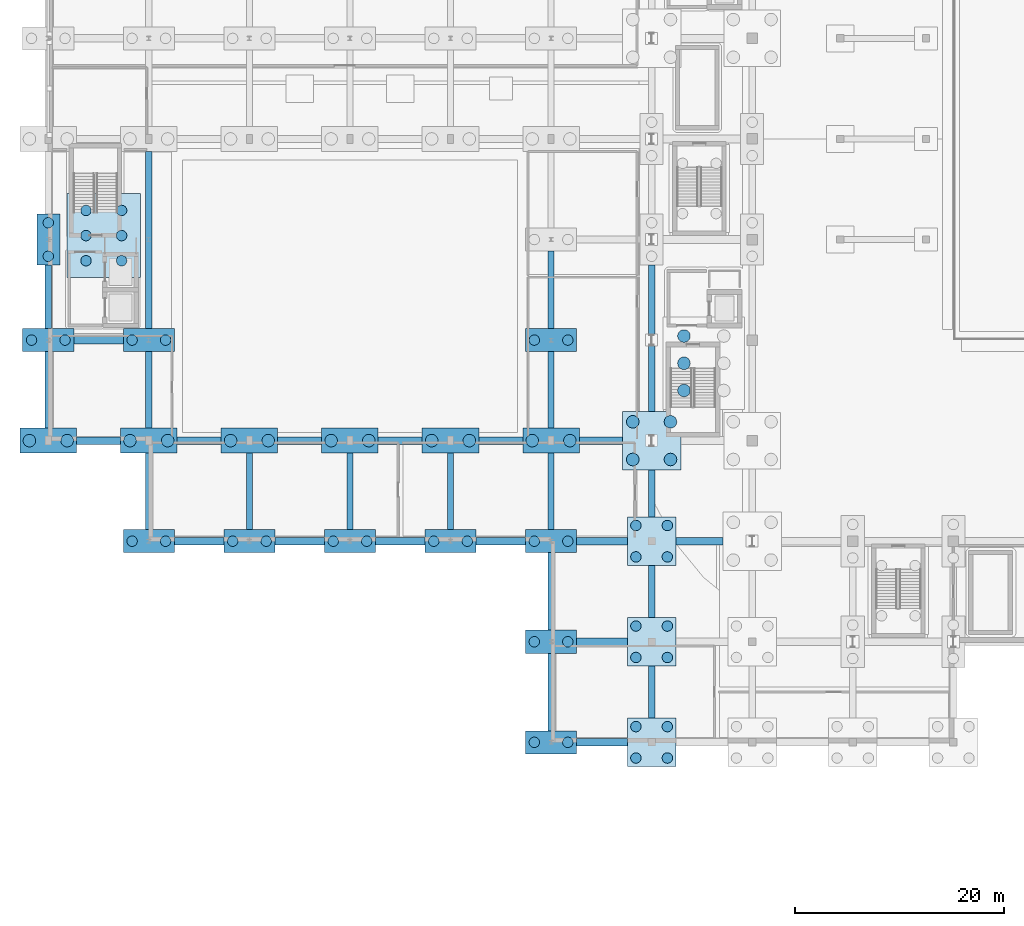
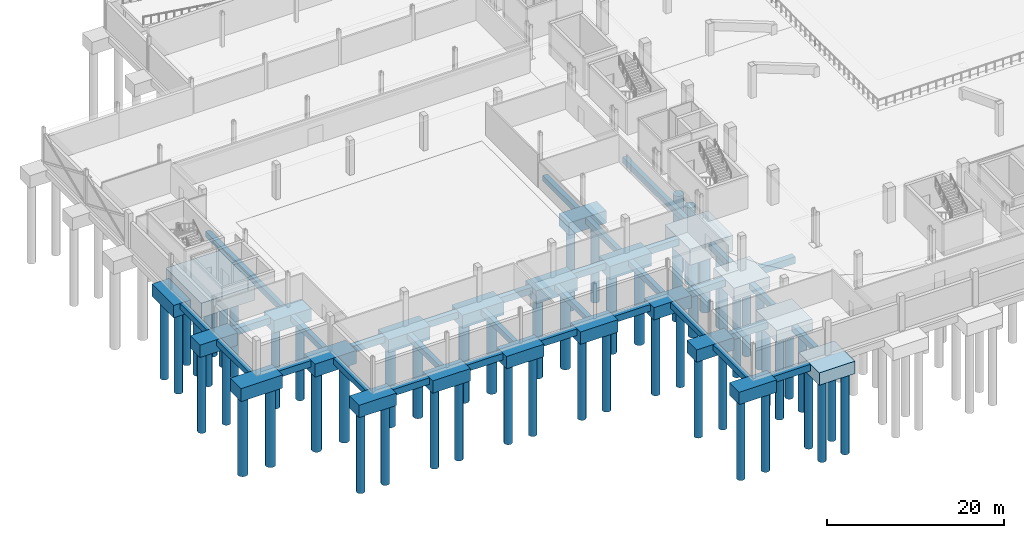
# One storey, part 1 of 67: 59 piles, 54 footings.
"""IFC4 building model written with IfcOpenShell, lengths in metres."""

from ifc_helpers import new_model, si_unit, direction, frame, origin, origin_2d, place, context, subcontext, project, spatial, polyline, rectangle, circle, outline, extrude, material, material_profile, profile_set, type_object, element, save


model = new_model("IFC4")

# Units and contexts
model_context = context("Model", 3, precision=1e-05, world=origin(), true_north=direction((0.0, 1.0)))
body_context = subcontext(model_context, "Body", "Model", "MODEL_VIEW")
ifc_project = project(units=[si_unit("LENGTHUNIT", "METRE"), si_unit("AREAUNIT", "SQUARE_METRE"), si_unit("VOLUMEUNIT", "CUBIC_METRE"), si_unit("PLANEANGLEUNIT", "RADIAN"), si_unit("MASSUNIT", "GRAM", prefix="KILO")], contexts=[model_context])

# Site, building, storey
site_placement = place(None, origin())
site = spatial("IfcSite", under=ifc_project, at=site_placement, CompositionType="ELEMENT")
building_placement = place(site_placement, origin())
building = spatial("IfcBuilding", under=site, at=building_placement, Name="Caelomonte Colonnade Arena", CompositionType="ELEMENT")
storey_placement = place(building_placement, frame((0.0, 0.0, -4.800048828125)))
storey = spatial("IfcBuildingStorey", under=building, at=storey_placement, Name="B1", CompositionType="ELEMENT", Elevation=-4.800048828125)

# Footings
ifc_material = material(Name="Concrete C40/50", Category="concrete")
footing_type_1 = type_object("IfcFootingType", Name="STR-FB-GB01", PredefinedType="FOOTING_BEAM", material=ifc_material)
footing_1_placement = place(storey_placement, frame((0.0, 0.0, -1.39990234375)))
element("IfcFooting", 1, at=footing_1_placement, inside=storey, type_object=footing_type_1, Name="Ground tie beam X (57.6..67.2, Y=28.8)", PredefinedType="FOOTING_BEAM", context=body_context, shape_type="SweptSolid", body=[
    extrude(outline(polyline([(59.919921875, 28.425048828125), (64.39990234375, 28.425048828125), (64.39990234375, 29.175048828125), (59.919921875, 29.175048828125), (59.919921875, 28.425048828125)])), origin(), (0.0, 0.0, 1.0), 0.949951171875),
])
footing_type_2 = type_object("IfcFootingType", Name="STR-FB-GB02", PredefinedType="FOOTING_BEAM", material=ifc_material)
footing_2_placement = place(storey_placement, frame((0.0, 0.0, -1.349853515625)))
element("IfcFooting", 2, at=footing_2_placement, inside=storey, type_object=footing_type_2, Name="Ground tie beam X (48.0..57.6, Y=9.6)", PredefinedType="FOOTING_BEAM", context=body_context, shape_type="SweptSolid", body=[
    extrude(outline(polyline([(50.43994140625, 9.25), (55.280029296875, 9.25), (55.280029296875, 9.949951171875), (50.43994140625, 9.949951171875), (50.43994140625, 9.25)])), origin(), (0.0, 0.0, 1.0), 0.89990234375),
])
footing_3_placement = place(storey_placement, frame((0.0, 0.0, -1.349853515625)))
element("IfcFooting", 3, at=footing_3_placement, inside=storey, type_object=footing_type_2, Name="Ground tie beam X (48.0..57.6, Y=19.2)", PredefinedType="FOOTING_BEAM", context=body_context, shape_type="SweptSolid", body=[
    extrude(outline(polyline([(50.43994140625, 18.85009765625), (55.280029296875, 18.85009765625), (55.280029296875, 19.550048828125), (50.43994140625, 19.550048828125), (50.43994140625, 18.85009765625)])), origin(), (0.0, 0.0, 1.0), 0.89990234375),
])
footing_4_placement = place(storey_placement, frame((0.0, 0.0, -1.349853515625)))
element("IfcFooting", 4, at=footing_4_placement, inside=storey, type_object=footing_type_2, Name="Ground tie beam X (9.6..19.2, Y=28.8)", PredefinedType="FOOTING_BEAM", context=body_context, shape_type="SweptSolid", body=[
    extrude(outline(polyline([(12.0400390625, 28.449951171875), (16.760009765625, 28.449951171875), (16.760009765625, 29.14990234375), (12.0400390625, 29.14990234375), (12.0400390625, 28.449951171875)])), origin(), (0.0, 0.0, 1.0), 0.89990234375),
])
footing_5_placement = place(storey_placement, frame((0.0, 0.0, -1.349853515625)))
element("IfcFooting", 5, at=footing_5_placement, inside=storey, type_object=footing_type_2, Name="Ground tie beam X (19.2..28.8, Y=28.8)", PredefinedType="FOOTING_BEAM", context=body_context, shape_type="SweptSolid", body=[
    extrude(outline(polyline([(21.639892578125, 28.449951171875), (26.360107421875, 28.449951171875), (26.360107421875, 29.14990234375), (21.639892578125, 29.14990234375), (21.639892578125, 28.449951171875)])), origin(), (0.0, 0.0, 1.0), 0.89990234375),
])
footing_6_placement = place(storey_placement, frame((0.0, 0.0, -1.349853515625)))
element("IfcFooting", 6, at=footing_6_placement, inside=storey, type_object=footing_type_2, Name="Ground tie beam X (28.8..38.4, Y=28.8)", PredefinedType="FOOTING_BEAM", context=body_context, shape_type="SweptSolid", body=[
    extrude(outline(polyline([(31.239990234375, 28.449951171875), (35.9599609375, 28.449951171875), (35.9599609375, 29.14990234375), (31.239990234375, 29.14990234375), (31.239990234375, 28.449951171875)])), origin(), (0.0, 0.0, 1.0), 0.89990234375),
])
footing_7_placement = place(storey_placement, frame((0.0, 0.0, -1.349853515625)))
element("IfcFooting", 7, at=footing_7_placement, inside=storey, type_object=footing_type_2, Name="Ground tie beam X (38.4..48.0, Y=28.8)", PredefinedType="FOOTING_BEAM", context=body_context, shape_type="SweptSolid", body=[
    extrude(outline(polyline([(40.840087890625, 28.449951171875), (45.56005859375, 28.449951171875), (45.56005859375, 29.14990234375), (40.840087890625, 29.14990234375), (40.840087890625, 28.449951171875)])), origin(), (0.0, 0.0, 1.0), 0.89990234375),
])
footing_8_placement = place(storey_placement, frame((0.0, 0.0, -1.349853515625)))
element("IfcFooting", 8, at=footing_8_placement, inside=storey, type_object=footing_type_2, Name="Ground tie beam X (48.0..57.6, Y=28.8)", PredefinedType="FOOTING_BEAM", context=body_context, shape_type="SweptSolid", body=[
    extrude(outline(polyline([(50.43994140625, 28.449951171875), (55.280029296875, 28.449951171875), (55.280029296875, 29.14990234375), (50.43994140625, 29.14990234375), (50.43994140625, 28.449951171875)])), origin(), (0.0, 0.0, 1.0), 0.89990234375),
])
footing_9_placement = place(storey_placement, frame((0.0, 0.0, -1.349853515625)))
element("IfcFooting", 9, at=footing_9_placement, inside=storey, type_object=footing_type_2, Name="Ground tie beam X (0.0..9.6, Y=38.4)", PredefinedType="FOOTING_BEAM", context=body_context, shape_type="SweptSolid", body=[
    extrude(outline(polyline([(2.699951171875, 38.050048828125), (6.89990234375, 38.050048828125), (6.89990234375, 38.75), (2.699951171875, 38.75), (2.699951171875, 38.050048828125)])), origin(), (0.0, 0.0, 1.0), 0.89990234375),
])
footing_10_placement = place(storey_placement, frame((0.0, 0.0, -1.349853515625)))
element("IfcFooting", 10, at=footing_10_placement, inside=storey, type_object=footing_type_2, Name="Ground tie beam X (9.6..19.2, Y=38.4)", PredefinedType="FOOTING_BEAM", context=body_context, shape_type="SweptSolid", body=[
    extrude(outline(polyline([(12.300048828125, 38.050048828125), (16.5, 38.050048828125), (16.5, 38.75), (12.300048828125, 38.75), (12.300048828125, 38.050048828125)])), origin(), (0.0, 0.0, 1.0), 0.89990234375),
])
footing_11_placement = place(storey_placement, frame((0.0, 0.0, -1.349853515625)))
element("IfcFooting", 11, at=footing_11_placement, inside=storey, type_object=footing_type_2, Name="Ground tie beam X (19.2..28.8, Y=38.4)", PredefinedType="FOOTING_BEAM", context=body_context, shape_type="SweptSolid", body=[
    extrude(outline(polyline([(21.89990234375, 38.050048828125), (26.10009765625, 38.050048828125), (26.10009765625, 38.75), (21.89990234375, 38.75), (21.89990234375, 38.050048828125)])), origin(), (0.0, 0.0, 1.0), 0.89990234375),
])
footing_12_placement = place(storey_placement, frame((0.0, 0.0, -1.349853515625)))
element("IfcFooting", 12, at=footing_12_placement, inside=storey, type_object=footing_type_2, Name="Ground tie beam X (28.8..38.4, Y=38.4)", PredefinedType="FOOTING_BEAM", context=body_context, shape_type="SweptSolid", body=[
    extrude(outline(polyline([(31.5, 38.050048828125), (35.699951171875, 38.050048828125), (35.699951171875, 38.75), (31.5, 38.75), (31.5, 38.050048828125)])), origin(), (0.0, 0.0, 1.0), 0.89990234375),
])
footing_13_placement = place(storey_placement, frame((0.0, 0.0, -1.349853515625)))
element("IfcFooting", 13, at=footing_13_placement, inside=storey, type_object=footing_type_2, Name="Ground tie beam X (38.4..48.0, Y=38.4)", PredefinedType="FOOTING_BEAM", context=body_context, shape_type="SweptSolid", body=[
    extrude(outline(polyline([(41.10009765625, 38.050048828125), (45.300048828125, 38.050048828125), (45.300048828125, 38.75), (41.10009765625, 38.75), (41.10009765625, 38.050048828125)])), origin(), (0.0, 0.0, 1.0), 0.89990234375),
])
footing_14_placement = place(storey_placement, frame((0.0, 0.0, -1.349853515625)))
element("IfcFooting", 14, at=footing_14_placement, inside=storey, type_object=footing_type_2, Name="Ground tie beam X (48.0..57.6, Y=38.4)", PredefinedType="FOOTING_BEAM", context=body_context, shape_type="SweptSolid", body=[
    extrude(outline(polyline([(50.699951171875, 38.050048828125), (54.800048828125, 38.050048828125), (54.800048828125, 38.75), (50.699951171875, 38.75), (50.699951171875, 38.050048828125)])), origin(), (0.0, 0.0, 1.0), 0.89990234375),
])
footing_15_placement = place(storey_placement, frame((0.0, 0.0, -1.349853515625)))
element("IfcFooting", 15, at=footing_15_placement, inside=storey, type_object=footing_type_2, Name="Ground tie beam X (0.0..9.6, Y=48.0)", PredefinedType="FOOTING_BEAM", context=body_context, shape_type="SweptSolid", body=[
    extrude(outline(polyline([(2.43994140625, 47.64990234375), (7.159912109375, 47.64990234375), (7.159912109375, 48.35009765625), (2.43994140625, 48.35009765625), (2.43994140625, 47.64990234375)])), origin(), (0.0, 0.0, 1.0), 0.89990234375),
])
footing_type_3 = type_object("IfcFootingType", Name="STR-FB-GB04", PredefinedType="FOOTING_BEAM", material=ifc_material)
footing_16_placement = place(storey_placement, frame((0.0, 0.0, -1.25)))
element("IfcFooting", 16, at=footing_16_placement, inside=storey, type_object=footing_type_3, Name="Ground tie beam Y (X=0.0, 38.4..48.0)", PredefinedType="FOOTING_BEAM", context=body_context, shape_type="SweptSolid", body=[
    extrude(outline(polyline([(-0.300048828125, 39.60009765625), (0.300048828125, 39.60009765625), (0.300048828125, 46.89990234375), (-0.300048828125, 46.89990234375), (-0.300048828125, 39.60009765625)])), origin(), (0.0, 0.0, 1.0), 0.800048828125),
])
footing_17_placement = place(storey_placement, frame((0.0, 0.0, -1.25)))
element("IfcFooting", 17, at=footing_17_placement, inside=storey, type_object=footing_type_3, Name="Ground tie beam Y (X=0.0, 48.0..57.6)", PredefinedType="FOOTING_BEAM", context=body_context, shape_type="SweptSolid", body=[
    extrude(outline(polyline([(-0.300048828125, 49.10009765625), (0.300048828125, 49.10009765625), (0.300048828125, 55.159912109375), (-0.300048828125, 55.159912109375), (-0.300048828125, 49.10009765625)])), origin(), (0.0, 0.0, 1.0), 0.800048828125),
])
footing_18_placement = place(storey_placement, frame((0.0, 0.0, -1.25)))
element("IfcFooting", 18, at=footing_18_placement, inside=storey, type_object=footing_type_3, Name="Ground tie beam Y (X=9.6, 28.8..38.4)", PredefinedType="FOOTING_BEAM", context=body_context, shape_type="SweptSolid", body=[
    extrude(outline(polyline([(9.300048828125, 29.89990234375), (9.89990234375, 29.89990234375), (9.89990234375, 37.199951171875), (9.300048828125, 37.199951171875), (9.300048828125, 29.89990234375)])), origin(), (0.0, 0.0, 1.0), 0.800048828125),
])
footing_19_placement = place(storey_placement, frame((0.0, 0.0, -1.25)))
element("IfcFooting", 19, at=footing_19_placement, inside=storey, type_object=footing_type_3, Name="Ground tie beam Y (X=9.6, 38.4..48.0)", PredefinedType="FOOTING_BEAM", context=body_context, shape_type="SweptSolid", body=[
    extrude(outline(polyline([(9.300048828125, 39.60009765625), (9.89990234375, 39.60009765625), (9.89990234375, 46.89990234375), (9.300048828125, 46.89990234375), (9.300048828125, 39.60009765625)])), origin(), (0.0, 0.0, 1.0), 0.800048828125),
])
footing_20_placement = place(storey_placement, frame((0.0, 0.0, -1.25)))
element("IfcFooting", 20, at=footing_20_placement, inside=storey, type_object=footing_type_3, Name="Ground tie beam Y (X=9.6, 48.0..67.2)", PredefinedType="FOOTING_BEAM", context=body_context, shape_type="SweptSolid", body=[
    extrude(outline(polyline([(9.300048828125, 49.10009765625), (9.89990234375, 49.10009765625), (9.89990234375, 66.0), (9.300048828125, 66.0), (9.300048828125, 49.10009765625)])), origin(), (0.0, 0.0, 1.0), 0.800048828125),
])
footing_21_placement = place(storey_placement, frame((0.0, 0.0, -1.25)))
element("IfcFooting", 21, at=footing_21_placement, inside=storey, type_object=footing_type_3, Name="Ground tie beam Y (X=19.2, 28.8..38.4)", PredefinedType="FOOTING_BEAM", context=body_context, shape_type="SweptSolid", body=[
    extrude(outline(polyline([(18.89990234375, 29.89990234375), (19.5, 29.89990234375), (19.5, 37.199951171875), (18.89990234375, 37.199951171875), (18.89990234375, 29.89990234375)])), origin(), (0.0, 0.0, 1.0), 0.800048828125),
])
footing_22_placement = place(storey_placement, frame((0.0, 0.0, -1.25)))
element("IfcFooting", 22, at=footing_22_placement, inside=storey, type_object=footing_type_3, Name="Ground tie beam Y (X=28.8, 28.8..38.4)", PredefinedType="FOOTING_BEAM", context=body_context, shape_type="SweptSolid", body=[
    extrude(outline(polyline([(28.5, 29.89990234375), (29.10009765625, 29.89990234375), (29.10009765625, 37.199951171875), (28.5, 37.199951171875), (28.5, 29.89990234375)])), origin(), (0.0, 0.0, 1.0), 0.800048828125),
])
footing_23_placement = place(storey_placement, frame((0.0, 0.0, -1.25)))
element("IfcFooting", 23, at=footing_23_placement, inside=storey, type_object=footing_type_3, Name="Ground tie beam Y (X=38.4, 28.8..38.4)", PredefinedType="FOOTING_BEAM", context=body_context, shape_type="SweptSolid", body=[
    extrude(outline(polyline([(38.10009765625, 29.89990234375), (38.699951171875, 29.89990234375), (38.699951171875, 37.199951171875), (38.10009765625, 37.199951171875), (38.10009765625, 29.89990234375)])), origin(), (0.0, 0.0, 1.0), 0.800048828125),
])
footing_24_placement = place(storey_placement, frame((0.0, 0.0, -1.25)))
element("IfcFooting", 24, at=footing_24_placement, inside=storey, type_object=footing_type_3, Name="Ground tie beam Y (X=48.0, 9.6..19.2)", PredefinedType="FOOTING_BEAM", context=body_context, shape_type="SweptSolid", body=[
    extrude(outline(polyline([(47.699951171875, 10.699951171875), (48.300048828125, 10.699951171875), (48.300048828125, 18.10009765625), (47.699951171875, 18.10009765625), (47.699951171875, 10.699951171875)])), origin(), (0.0, 0.0, 1.0), 0.800048828125),
])
footing_25_placement = place(storey_placement, frame((0.0, 0.0, -1.25)))
element("IfcFooting", 25, at=footing_25_placement, inside=storey, type_object=footing_type_3, Name="Ground tie beam Y (X=48.0, 19.2..28.8)", PredefinedType="FOOTING_BEAM", context=body_context, shape_type="SweptSolid", body=[
    extrude(outline(polyline([(47.699951171875, 20.300048828125), (48.300048828125, 20.300048828125), (48.300048828125, 27.699951171875), (47.699951171875, 27.699951171875), (47.699951171875, 20.300048828125)])), origin(), (0.0, 0.0, 1.0), 0.800048828125),
])
footing_26_placement = place(storey_placement, frame((0.0, 0.0, -1.25)))
element("IfcFooting", 26, at=footing_26_placement, inside=storey, type_object=footing_type_3, Name="Ground tie beam Y (X=48.0, 28.8..38.4)", PredefinedType="FOOTING_BEAM", context=body_context, shape_type="SweptSolid", body=[
    extrude(outline(polyline([(47.699951171875, 29.89990234375), (48.300048828125, 29.89990234375), (48.300048828125, 37.199951171875), (47.699951171875, 37.199951171875), (47.699951171875, 29.89990234375)])), origin(), (0.0, 0.0, 1.0), 0.800048828125),
])
footing_27_placement = place(storey_placement, frame((0.0, 0.0, -1.25)))
element("IfcFooting", 27, at=footing_27_placement, inside=storey, type_object=footing_type_3, Name="Ground tie beam Y (X=48.0, 38.4..48.0)", PredefinedType="FOOTING_BEAM", context=body_context, shape_type="SweptSolid", body=[
    extrude(outline(polyline([(47.699951171875, 39.60009765625), (48.300048828125, 39.60009765625), (48.300048828125, 46.89990234375), (47.699951171875, 46.89990234375), (47.699951171875, 39.60009765625)])), origin(), (0.0, 0.0, 1.0), 0.800048828125),
])
footing_28_placement = place(storey_placement, frame((0.0, 0.0, -1.25)))
element("IfcFooting", 28, at=footing_28_placement, inside=storey, type_object=footing_type_3, Name="Ground tie beam Y (X=48.0, 48.0..57.6)", PredefinedType="FOOTING_BEAM", context=body_context, shape_type="SweptSolid", body=[
    extrude(outline(polyline([(47.699951171875, 49.10009765625), (48.300048828125, 49.10009765625), (48.300048828125, 56.5), (47.699951171875, 56.5), (47.699951171875, 49.10009765625)])), origin(), (0.0, 0.0, 1.0), 0.800048828125),
])
footing_29_placement = place(storey_placement, frame((0.0, 0.0, -1.25)))
element("IfcFooting", 29, at=footing_29_placement, inside=storey, type_object=footing_type_3, Name="Ground tie beam Y (X=57.6, 9.6..19.2)", PredefinedType="FOOTING_BEAM", context=body_context, shape_type="SweptSolid", body=[
    extrude(outline(polyline([(57.300048828125, 11.919921875), (57.89990234375, 11.919921875), (57.89990234375, 16.8798828125), (57.300048828125, 16.8798828125), (57.300048828125, 11.919921875)])), origin(), (0.0, 0.0, 1.0), 0.800048828125),
])
footing_30_placement = place(storey_placement, frame((0.0, 0.0, -1.25)))
element("IfcFooting", 30, at=footing_30_placement, inside=storey, type_object=footing_type_3, Name="Ground tie beam Y (X=57.6, 19.2..28.8)", PredefinedType="FOOTING_BEAM", context=body_context, shape_type="SweptSolid", body=[
    extrude(outline(polyline([(57.300048828125, 21.52001953125), (57.89990234375, 21.52001953125), (57.89990234375, 26.47998046875), (57.300048828125, 26.47998046875), (57.300048828125, 21.52001953125)])), origin(), (0.0, 0.0, 1.0), 0.800048828125),
])
footing_31_placement = place(storey_placement, frame((0.0, 0.0, -1.25)))
element("IfcFooting", 31, at=footing_31_placement, inside=storey, type_object=footing_type_3, Name="Ground tie beam Y (X=57.6, 28.8..38.4)", PredefinedType="FOOTING_BEAM", context=body_context, shape_type="SweptSolid", body=[
    extrude(outline(polyline([(57.300048828125, 31.1201171875), (57.89990234375, 31.1201171875), (57.89990234375, 35.60009765625), (57.300048828125, 35.60009765625), (57.300048828125, 31.1201171875)])), origin(), (0.0, 0.0, 1.0), 0.800048828125),
])
footing_32_placement = place(storey_placement, frame((0.0, 0.0, -1.25)))
element("IfcFooting", 32, at=footing_32_placement, inside=storey, type_object=footing_type_3, Name="Ground tie beam Y (X=57.6, 38.4..57.6)", PredefinedType="FOOTING_BEAM", context=body_context, shape_type="SweptSolid", body=[
    extrude(outline(polyline([(57.300048828125, 41.199951171875), (57.89990234375, 41.199951171875), (57.89990234375, 55.159912109375), (57.300048828125, 55.159912109375), (57.300048828125, 41.199951171875)])), origin(), (0.0, 0.0, 1.0), 0.800048828125),
])
footing_type_4 = type_object("IfcFootingType", Name="STR-FC-PC01", PredefinedType="PILE_CAP", material=ifc_material)
footing_33_placement = place(storey_placement, frame((57.60009765625, 38.39990234375, -2.64990234375), z_axis=(0.0, 0.0, 1.0), x_axis=(1.0, 0.0, 0.0)))
element("IfcFooting", 33, at=footing_33_placement, inside=storey, type_object=footing_type_4, Name="Pile cap FC-0576-0384", PredefinedType="PILE_CAP", context=body_context, shape_type="SweptSolid", body=[
    extrude(rectangle(XDim=5.60009765625, YDim=5.60009765625, at=origin_2d()), origin(), (0.0, 0.0, 1.0), 2.199951171875),
])
footing_type_5 = type_object("IfcFootingType", Name="STR-FC-PC05", PredefinedType="PILE_CAP", material=ifc_material)
for number, where, z_axis, x_axis, name in (
    (34, (57.60009765625, 9.60009765625, -2.14990234375), (0.0, 0.0, 1.0), (1.0, 0.0, 0.0), "Pile cap FC-0576-0096"),
    (35, (57.60009765625, 19.199951171875, -2.14990234375), (0.0, 0.0, 1.0), (1.0, 0.0, 0.0), "Pile cap FC-0576-0192"),
    (36, (57.60009765625, 28.800048828125, -2.14990234375), (0.0, 0.0, 1.0), (1.0, 0.0, 0.0), "Pile cap FC-0576-0288"),
):
    element("IfcFooting", number, at=place(storey_placement, frame(where, z_axis=z_axis, x_axis=x_axis)), inside=storey, type_object=footing_type_5, Name=name, PredefinedType="PILE_CAP", context=body_context, shape_type="SweptSolid", body=[
        extrude(rectangle(XDim=4.639892578125, YDim=4.639892578125, at=origin_2d()), origin(), (0.0, 0.0, 1.0), 1.699951171875),
    ])
footing_type_6 = type_object("IfcFootingType", Name="STR-FC-PC06", PredefinedType="PILE_CAP", material=ifc_material)
for number, where, z_axis, x_axis, name in (
    (37, (0.0, 48.0, -2.14990234375), (0.0, 0.0, 1.0), (1.0, 0.0, 0.0), "Pile cap FC-0000-0480"),
    (38, (9.60009765625, 28.800048828125, -2.14990234375), (0.0, 0.0, 1.0), (1.0, 0.0, 0.0), "Pile cap FC-0096-0288"),
    (39, (9.60009765625, 48.0, -2.14990234375), (0.0, 0.0, 1.0), (1.0, 0.0, 0.0), "Pile cap FC-0096-0480"),
    (40, (19.199951171875, 28.800048828125, -2.14990234375), (0.0, 0.0, 1.0), (1.0, 0.0, 0.0), "Pile cap FC-0192-0288"),
    (41, (28.800048828125, 28.800048828125, -2.14990234375), (0.0, 0.0, 1.0), (1.0, 0.0, 0.0), "Pile cap FC-0288-0288"),
    (42, (38.39990234375, 28.800048828125, -2.14990234375), (0.0, 0.0, 1.0), (1.0, 0.0, 0.0), "Pile cap FC-0384-0288"),
    (43, (48.0, 9.60009765625, -2.14990234375), (0.0, 0.0, 1.0), (1.0, 0.0, 0.0), "Pile cap FC-0480-0096"),
    (44, (48.0, 19.199951171875, -2.14990234375), (0.0, 0.0, 1.0), (1.0, 0.0, 0.0), "Pile cap FC-0480-0192"),
    (45, (48.0, 28.800048828125, -2.14990234375), (0.0, 0.0, 1.0), (1.0, 0.0, 0.0), "Pile cap FC-0480-0288"),
    (46, (48.0, 48.0, -2.14990234375), (0.0, 0.0, 1.0), (1.0, 0.0, 0.0), "Pile cap FC-0480-0480"),
):
    element("IfcFooting", number, at=place(storey_placement, frame(where, z_axis=z_axis, x_axis=x_axis)), inside=storey, type_object=footing_type_6, Name=name, PredefinedType="PILE_CAP", context=body_context, shape_type="SweptSolid", body=[
        extrude(rectangle(XDim=4.8798828125, YDim=2.199951171875, at=origin_2d()), origin(), (0.0, 0.0, 1.0), 1.699951171875),
    ])
footing_type_7 = type_object("IfcFootingType", Name="STR-FC-PC07", PredefinedType="PILE_CAP", material=ifc_material)
footing_34_placement = place(storey_placement, frame((0.0, 57.60009765625, -2.14990234375), z_axis=(0.0, 0.0, 1.0), x_axis=(1.0, 0.0, 0.0)))
element("IfcFooting", 47, at=footing_34_placement, inside=storey, type_object=footing_type_7, Name="Pile cap FC-0000-0576", PredefinedType="PILE_CAP", context=body_context, shape_type="SweptSolid", body=[
    extrude(rectangle(XDim=2.199951171875, YDim=4.8798828125, at=origin_2d()), origin(), (0.0, 0.0, 1.0), 1.699951171875),
])
footing_type_8 = type_object("IfcFootingType", Name="STR-FC-PC08", PredefinedType="PILE_CAP", material=ifc_material)
for number, where, z_axis, x_axis, name in (
    (48, (0.0, 38.39990234375, -2.25), (0.0, 0.0, 1.0), (1.0, 0.0, 0.0), "Pile cap FC-0000-0384"),
    (49, (9.60009765625, 38.39990234375, -2.25), (0.0, 0.0, 1.0), (1.0, 0.0, 0.0), "Pile cap FC-0096-0384"),
    (50, (19.199951171875, 38.39990234375, -2.25), (0.0, 0.0, 1.0), (1.0, 0.0, 0.0), "Pile cap FC-0192-0384"),
    (51, (28.800048828125, 38.39990234375, -2.25), (0.0, 0.0, 1.0), (1.0, 0.0, 0.0), "Pile cap FC-0288-0384"),
    (52, (38.39990234375, 38.39990234375, -2.25), (0.0, 0.0, 1.0), (1.0, 0.0, 0.0), "Pile cap FC-0384-0384"),
    (53, (48.0, 38.39990234375, -2.25), (0.0, 0.0, 1.0), (1.0, 0.0, 0.0), "Pile cap FC-0480-0384"),
):
    element("IfcFooting", number, at=place(storey_placement, frame(where, z_axis=z_axis, x_axis=x_axis)), inside=storey, type_object=footing_type_8, Name=name, PredefinedType="PILE_CAP", context=body_context, shape_type="SweptSolid", body=[
        extrude(rectangle(XDim=5.39990234375, YDim=2.39990234375, at=origin_2d()), origin(), (0.0, 0.0, 1.0), 1.800048828125),
    ])
footing_type_9 = type_object("IfcFootingType", Name="STR-FC-PC11", PredefinedType="PILE_CAP", material=ifc_material)
footing_35_placement = place(storey_placement, frame((5.300048828125, 57.97509765625, -2.449951171875), z_axis=(0.0, 0.0, 1.0), x_axis=(1.0, 0.0, 0.0)))
element("IfcFooting", 54, at=footing_35_placement, inside=storey, type_object=footing_type_9, Name="Core C8 pile cap", PredefinedType="PILE_CAP", context=body_context, shape_type="SweptSolid", body=[
    extrude(rectangle(XDim=7.0, YDim=8.0, at=origin_2d()), origin(), (0.0, 0.0, 1.0), 2.0),
])

# Piles
ifc_material_profile_1 = material_profile(ifc_material, circle(Radius=0.5, at=origin_2d()), Name="PILE-D1000")
ifc_profile_set_1 = profile_set([ifc_material_profile_1], Name="Concrete C40/50")
pile_type_1 = type_object("IfcPileType", Name="STR-PL-D1000", PredefinedType="BORED", material=ifc_profile_set_1)
for number, where, z_axis, x_axis, name in (
    (55, (3.60009765625, 55.574951171875, -2.349853515625), (0.0, 0.0, -1.0), (1.0, 0.0, 0.0), "Core C8 rock-socketed pile 1"),
    (56, (3.60009765625, 57.97509765625, -2.349853515625), (0.0, 0.0, -1.0), (1.0, 0.0, 0.0), "Core C8 rock-socketed pile 2"),
    (57, (3.60009765625, 60.375, -2.349853515625), (0.0, 0.0, -1.0), (1.0, 0.0, 0.0), "Core C8 rock-socketed pile 3"),
    (58, (7.0, 55.574951171875, -2.349853515625), (0.0, 0.0, -1.0), (1.0, 0.0, 0.0), "Core C8 rock-socketed pile 4"),
    (59, (7.0, 57.97509765625, -2.349853515625), (0.0, 0.0, -1.0), (1.0, 0.0, 0.0), "Core C8 rock-socketed pile 5"),
    (60, (7.0, 60.375, -2.349853515625), (0.0, 0.0, -1.0), (1.0, 0.0, 0.0), "Core C8 rock-socketed pile 6"),
):
    element("IfcPile", number, at=place(storey_placement, frame(where, z_axis=z_axis, x_axis=x_axis)), inside=storey, type_object=pile_type_1, Name=name, PredefinedType="BORED", context=body_context, shape_type="SweptSolid", body=[
        extrude(circle(Radius=0.5, at=origin_2d()), origin(), (0.0, 0.0, 1.0), 10.85009765625),
    ])
for number, where, z_axis, x_axis, name in (
    (61, (-1.60009765625, 48.0, -2.050048828125), (0.0, 0.0, -1.0), (1.0, 0.0, 0.0), "Rock-socketed bored pile FC-0000-0480-1"),
    (62, (1.60009765625, 48.0, -2.050048828125), (0.0, 0.0, -1.0), (1.0, 0.0, 0.0), "Rock-socketed bored pile FC-0000-0480-2"),
    (63, (0.0, 56.0, -2.050048828125), (0.0, 0.0, -1.0), (1.0, 0.0, 0.0), "Rock-socketed bored pile FC-0000-0576-1"),
    (64, (0.0, 59.199951171875, -2.050048828125), (0.0, 0.0, -1.0), (1.0, 0.0, 0.0), "Rock-socketed bored pile FC-0000-0576-2"),
    (65, (8.0, 28.800048828125, -2.050048828125), (0.0, 0.0, -1.0), (1.0, 0.0, 0.0), "Rock-socketed bored pile FC-0096-0288-1"),
    (66, (11.199951171875, 28.800048828125, -2.050048828125), (0.0, 0.0, -1.0), (1.0, 0.0, 0.0), "Rock-socketed bored pile FC-0096-0288-2"),
    (67, (8.0, 48.0, -2.050048828125), (0.0, 0.0, -1.0), (1.0, 0.0, 0.0), "Rock-socketed bored pile FC-0096-0480-1"),
    (68, (11.199951171875, 48.0, -2.050048828125), (0.0, 0.0, -1.0), (1.0, 0.0, 0.0), "Rock-socketed bored pile FC-0096-0480-2"),
    (69, (17.60009765625, 28.800048828125, -2.050048828125), (0.0, 0.0, -1.0), (1.0, 0.0, 0.0), "Rock-socketed bored pile FC-0192-0288-1"),
    (70, (20.800048828125, 28.800048828125, -2.050048828125), (0.0, 0.0, -1.0), (1.0, 0.0, 0.0), "Rock-socketed bored pile FC-0192-0288-2"),
    (71, (27.199951171875, 28.800048828125, -2.050048828125), (0.0, 0.0, -1.0), (1.0, 0.0, 0.0), "Rock-socketed bored pile FC-0288-0288-1"),
    (72, (30.39990234375, 28.800048828125, -2.050048828125), (0.0, 0.0, -1.0), (1.0, 0.0, 0.0), "Rock-socketed bored pile FC-0288-0288-2"),
    (73, (36.800048828125, 28.800048828125, -2.050048828125), (0.0, 0.0, -1.0), (1.0, 0.0, 0.0), "Rock-socketed bored pile FC-0384-0288-1"),
    (74, (40.0, 28.800048828125, -2.050048828125), (0.0, 0.0, -1.0), (1.0, 0.0, 0.0), "Rock-socketed bored pile FC-0384-0288-2"),
    (75, (46.39990234375, 9.60009765625, -2.050048828125), (0.0, 0.0, -1.0), (1.0, 0.0, 0.0), "Rock-socketed bored pile FC-0480-0096-1"),
    (76, (49.60009765625, 9.60009765625, -2.050048828125), (0.0, 0.0, -1.0), (1.0, 0.0, 0.0), "Rock-socketed bored pile FC-0480-0096-2"),
    (77, (46.39990234375, 19.199951171875, -2.050048828125), (0.0, 0.0, -1.0), (1.0, 0.0, 0.0), "Rock-socketed bored pile FC-0480-0192-1"),
    (78, (49.60009765625, 19.199951171875, -2.050048828125), (0.0, 0.0, -1.0), (1.0, 0.0, 0.0), "Rock-socketed bored pile FC-0480-0192-2"),
    (79, (46.39990234375, 28.800048828125, -2.050048828125), (0.0, 0.0, -1.0), (1.0, 0.0, 0.0), "Rock-socketed bored pile FC-0480-0288-1"),
    (80, (49.60009765625, 28.800048828125, -2.050048828125), (0.0, 0.0, -1.0), (1.0, 0.0, 0.0), "Rock-socketed bored pile FC-0480-0288-2"),
    (81, (46.39990234375, 48.0, -2.050048828125), (0.0, 0.0, -1.0), (1.0, 0.0, 0.0), "Rock-socketed bored pile FC-0480-0480-1"),
    (82, (49.60009765625, 48.0, -2.050048828125), (0.0, 0.0, -1.0), (1.0, 0.0, 0.0), "Rock-socketed bored pile FC-0480-0480-2"),
    (83, (56.10009765625, 8.10009765625, -2.050048828125), (0.0, 0.0, -1.0), (1.0, 0.0, 0.0), "Rock-socketed bored pile FC-0576-0096-1"),
    (84, (59.10009765625, 8.10009765625, -2.050048828125), (0.0, 0.0, -1.0), (1.0, 0.0, 0.0), "Rock-socketed bored pile FC-0576-0096-2"),
    (85, (56.10009765625, 11.10009765625, -2.050048828125), (0.0, 0.0, -1.0), (1.0, 0.0, 0.0), "Rock-socketed bored pile FC-0576-0096-3"),
    (86, (59.10009765625, 11.10009765625, -2.050048828125), (0.0, 0.0, -1.0), (1.0, 0.0, 0.0), "Rock-socketed bored pile FC-0576-0096-4"),
    (87, (56.10009765625, 17.699951171875, -2.050048828125), (0.0, 0.0, -1.0), (1.0, 0.0, 0.0), "Rock-socketed bored pile FC-0576-0192-1"),
    (88, (59.10009765625, 17.699951171875, -2.050048828125), (0.0, 0.0, -1.0), (1.0, 0.0, 0.0), "Rock-socketed bored pile FC-0576-0192-2"),
    (89, (56.10009765625, 20.699951171875, -2.050048828125), (0.0, 0.0, -1.0), (1.0, 0.0, 0.0), "Rock-socketed bored pile FC-0576-0192-3"),
    (90, (59.10009765625, 20.699951171875, -2.050048828125), (0.0, 0.0, -1.0), (1.0, 0.0, 0.0), "Rock-socketed bored pile FC-0576-0192-4"),
    (91, (56.10009765625, 27.300048828125, -2.050048828125), (0.0, 0.0, -1.0), (1.0, 0.0, 0.0), "Rock-socketed bored pile FC-0576-0288-1"),
    (92, (59.10009765625, 27.300048828125, -2.050048828125), (0.0, 0.0, -1.0), (1.0, 0.0, 0.0), "Rock-socketed bored pile FC-0576-0288-2"),
    (93, (56.10009765625, 30.300048828125, -2.050048828125), (0.0, 0.0, -1.0), (1.0, 0.0, 0.0), "Rock-socketed bored pile FC-0576-0288-3"),
    (94, (59.10009765625, 30.300048828125, -2.050048828125), (0.0, 0.0, -1.0), (1.0, 0.0, 0.0), "Rock-socketed bored pile FC-0576-0288-4"),
):
    element("IfcPile", number, at=place(storey_placement, frame(where, z_axis=z_axis, x_axis=x_axis)), inside=storey, type_object=pile_type_1, Name=name, PredefinedType="BORED", context=body_context, shape_type="SweptSolid", body=[
        extrude(circle(Radius=0.5, at=origin_2d()), origin(), (0.0, 0.0, 1.0), 11.14990234375),
    ])
ifc_material_profile_2 = material_profile(ifc_material, circle(Radius=0.60009765625, at=origin_2d()), Name="PILE-D1200")
ifc_profile_set_2 = profile_set([ifc_material_profile_2], Name="Concrete C40/50")
pile_type_2 = type_object("IfcPileType", Name="STR-PL-D1200", PredefinedType="BORED", material=ifc_profile_set_2)
for number, where, z_axis, x_axis, name in (
    (95, (60.6875, 43.1875, -2.550048828125), (0.0, 0.0, -1.0), (1.0, 0.0, 0.0), "Core C1 rock-socketed pile 1"),
    (96, (60.6875, 45.78759765625, -2.550048828125), (0.0, 0.0, -1.0), (1.0, 0.0, 0.0), "Core C1 rock-socketed pile 2"),
    (97, (60.6875, 48.387451171875, -2.550048828125), (0.0, 0.0, -1.0), (1.0, 0.0, 0.0), "Core C1 rock-socketed pile 3"),
):
    element("IfcPile", number, at=place(storey_placement, frame(where, z_axis=z_axis, x_axis=x_axis)), inside=storey, type_object=pile_type_2, Name=name, PredefinedType="BORED", context=body_context, shape_type="SweptSolid", body=[
        extrude(circle(Radius=0.60009765625, at=origin_2d()), origin(), (0.0, 0.0, 1.0), 10.64990234375),
    ])
for number, where, z_axis, x_axis, name in (
    (98, (-1.800048828125, 38.39990234375, -2.14990234375), (0.0, 0.0, -1.0), (1.0, 0.0, 0.0), "Rock-socketed bored pile FC-0000-0384-1"),
    (99, (1.800048828125, 38.39990234375, -2.14990234375), (0.0, 0.0, -1.0), (1.0, 0.0, 0.0), "Rock-socketed bored pile FC-0000-0384-2"),
    (100, (7.800048828125, 38.39990234375, -2.14990234375), (0.0, 0.0, -1.0), (1.0, 0.0, 0.0), "Rock-socketed bored pile FC-0096-0384-1"),
    (101, (11.39990234375, 38.39990234375, -2.14990234375), (0.0, 0.0, -1.0), (1.0, 0.0, 0.0), "Rock-socketed bored pile FC-0096-0384-2"),
    (102, (17.39990234375, 38.39990234375, -2.14990234375), (0.0, 0.0, -1.0), (1.0, 0.0, 0.0), "Rock-socketed bored pile FC-0192-0384-1"),
    (103, (21.0, 38.39990234375, -2.14990234375), (0.0, 0.0, -1.0), (1.0, 0.0, 0.0), "Rock-socketed bored pile FC-0192-0384-2"),
    (104, (27.0, 38.39990234375, -2.14990234375), (0.0, 0.0, -1.0), (1.0, 0.0, 0.0), "Rock-socketed bored pile FC-0288-0384-1"),
    (105, (30.60009765625, 38.39990234375, -2.14990234375), (0.0, 0.0, -1.0), (1.0, 0.0, 0.0), "Rock-socketed bored pile FC-0288-0384-2"),
    (106, (36.60009765625, 38.39990234375, -2.14990234375), (0.0, 0.0, -1.0), (1.0, 0.0, 0.0), "Rock-socketed bored pile FC-0384-0384-1"),
    (107, (40.199951171875, 38.39990234375, -2.14990234375), (0.0, 0.0, -1.0), (1.0, 0.0, 0.0), "Rock-socketed bored pile FC-0384-0384-2"),
    (108, (46.199951171875, 38.39990234375, -2.14990234375), (0.0, 0.0, -1.0), (1.0, 0.0, 0.0), "Rock-socketed bored pile FC-0480-0384-1"),
    (109, (49.800048828125, 38.39990234375, -2.14990234375), (0.0, 0.0, -1.0), (1.0, 0.0, 0.0), "Rock-socketed bored pile FC-0480-0384-2"),
):
    element("IfcPile", number, at=place(storey_placement, frame(where, z_axis=z_axis, x_axis=x_axis)), inside=storey, type_object=pile_type_2, Name=name, PredefinedType="BORED", context=body_context, shape_type="SweptSolid", body=[
        extrude(circle(Radius=0.60009765625, at=origin_2d()), origin(), (0.0, 0.0, 1.0), 11.050048828125),
    ])
for number, where, z_axis, x_axis, name in (
    (110, (55.800048828125, 36.60009765625, -2.550048828125), (0.0, 0.0, -1.0), (1.0, 0.0, 0.0), "Rock-socketed bored pile FC-0576-0384-1"),
    (111, (59.39990234375, 36.60009765625, -2.550048828125), (0.0, 0.0, -1.0), (1.0, 0.0, 0.0), "Rock-socketed bored pile FC-0576-0384-2"),
    (112, (55.800048828125, 40.199951171875, -2.550048828125), (0.0, 0.0, -1.0), (1.0, 0.0, 0.0), "Rock-socketed bored pile FC-0576-0384-3"),
    (113, (59.39990234375, 40.199951171875, -2.550048828125), (0.0, 0.0, -1.0), (1.0, 0.0, 0.0), "Rock-socketed bored pile FC-0576-0384-4"),
):
    element("IfcPile", number, at=place(storey_placement, frame(where, z_axis=z_axis, x_axis=x_axis)), inside=storey, type_object=pile_type_2, Name=name, PredefinedType="BORED", context=body_context, shape_type="SweptSolid", body=[
        extrude(circle(Radius=0.60009765625, at=origin_2d()), origin(), (0.0, 0.0, 1.0), 10.64990234375),
    ])

save(model, "model.ifc")
